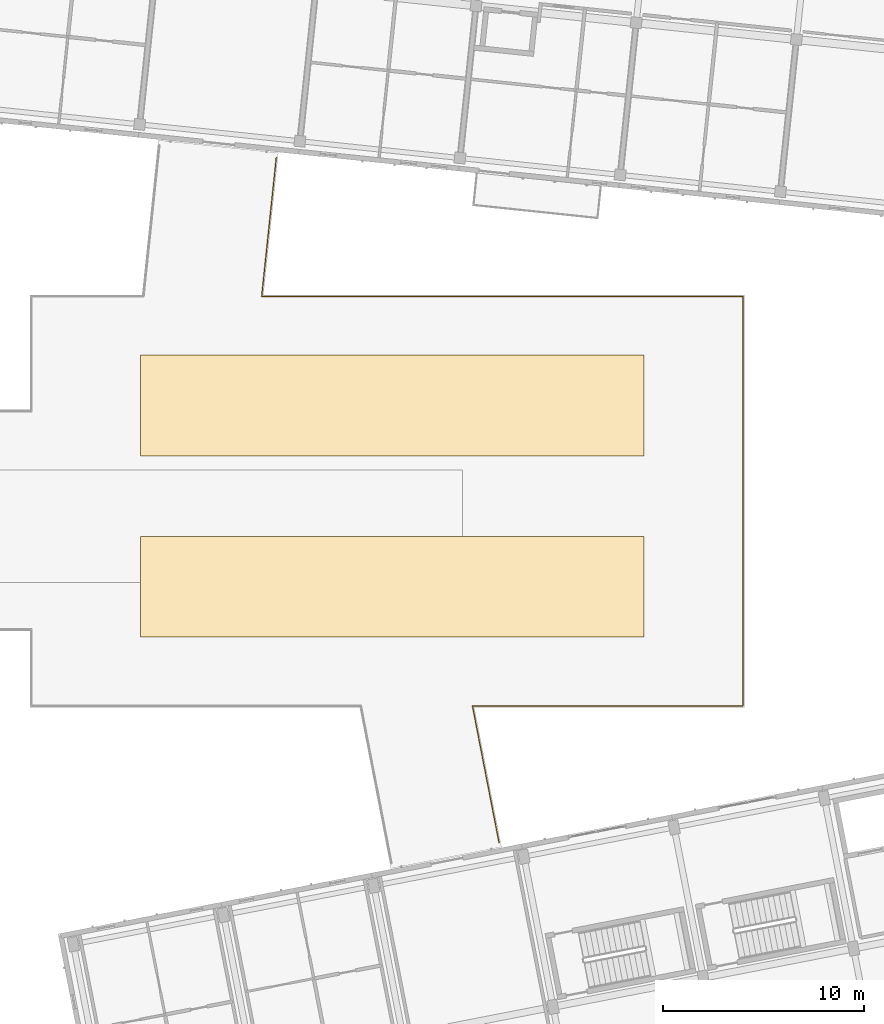
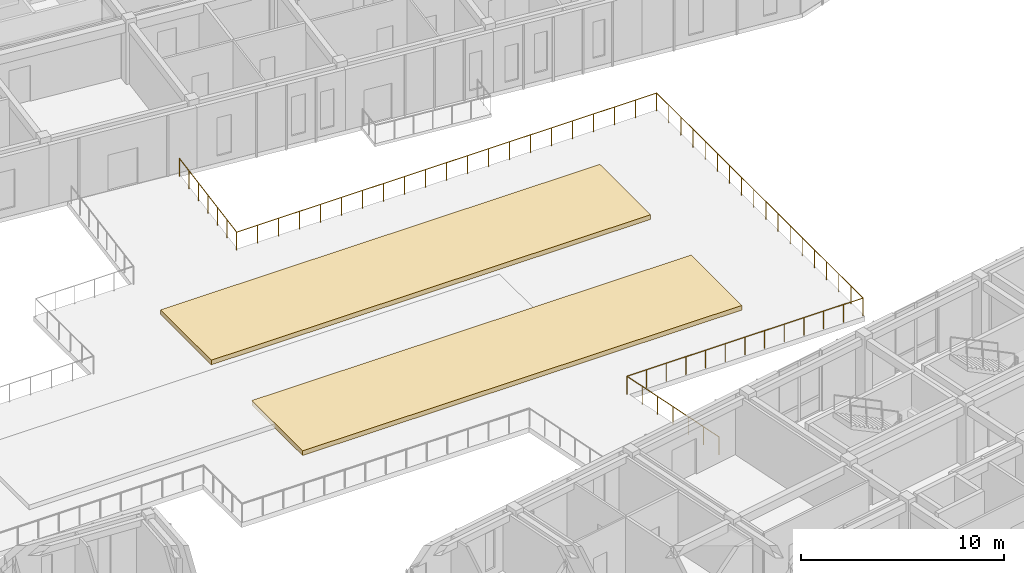
# One storey, part 145 of 150: 2 coverings, 1 railing.
"""IFC4 building model written with IfcOpenShell, lengths in metres."""

from ifc_helpers import new_model, si_unit, direction, frame, origin, origin_2d, place, context, subcontext, project, spatial, polyline, circle, outline, extrude, material, layer, layer_set, type_object, element, save


model = new_model("IFC4")

# Units and contexts
model_context = context("Model", 3, precision=1e-05, world=origin(), true_north=direction((0.0, 1.0)))
body_context = subcontext(model_context, "Body", "Model", "MODEL_VIEW")
ifc_project = project(units=[si_unit("LENGTHUNIT", "METRE"), si_unit("AREAUNIT", "SQUARE_METRE"), si_unit("VOLUMEUNIT", "CUBIC_METRE"), si_unit("PLANEANGLEUNIT", "RADIAN"), si_unit("MASSUNIT", "GRAM", prefix="KILO")], contexts=[model_context])

# Site, building, storey
site_placement = place(None, origin())
site = spatial("IfcSite", under=ifc_project, at=site_placement, CompositionType="ELEMENT")
building_placement = place(site_placement, origin())
building = spatial("IfcBuilding", under=site, at=building_placement, Name="Kestramere Prow Commons", CompositionType="ELEMENT")
storey_placement = place(building_placement, frame((0.0, 0.0, 4.5)))
storey = spatial("IfcBuildingStorey", under=building, at=storey_placement, Name="L01", CompositionType="ELEMENT", Elevation=4.5)

# Coverings
ifc_material_1 = material(Name="Planted Tropical Rain-Garden Soil and Foliage")
ifc_layer = layer(ifc_material_1, 0.280029296875)
ifc_layer_set = layer_set([ifc_layer], Name="Planted Tropical Rain-Garden Soil and Foliage")
covering_type = type_object("IfcCoveringType", Name="COV-PLANT-STRIP", PredefinedType="USERDEFINED", material=ifc_layer_set)
covering_1_placement = place(storey_placement, origin())
element("IfcCovering", 1, at=covering_1_placement, inside=storey, type_object=covering_type, Name="Raised Courtyard Planted Rain-Garden Bed PLST-CRT-E1", ObjectType="PLANTED STRIP", PredefinedType="USERDEFINED", context=body_context, shape_type="SweptSolid", body=[
    extrude(outline(polyline([(118.0, 68.5), (118.0, 73.5), (143.0, 73.5), (143.0, 68.5), (118.0, 68.5)])), origin(), (0.0, 0.0, 1.0), 0.280029296875),
])
covering_2_placement = place(storey_placement, origin())
element("IfcCovering", 2, at=covering_2_placement, inside=storey, type_object=covering_type, Name="Raised Courtyard Planted Rain-Garden Bed PLST-CRT-E2", ObjectType="PLANTED STRIP", PredefinedType="USERDEFINED", context=body_context, shape_type="SweptSolid", body=[
    extrude(outline(polyline([(118.0, 77.5), (118.0, 82.5), (143.0, 82.5), (143.0, 77.5), (118.0, 77.5)])), origin(), (0.0, 0.0, 1.0), 0.280029296875),
])

# Railing
ifc_material_2 = material(Name="Powder-Coated Aluminium 6063-T6", Category="aluminium")
railing_type = type_object("IfcRailingType", Name="GRD-BALC-1100", PredefinedType="BALUSTRADE", material=ifc_material_2)
railing_placement = place(storey_placement, frame((124.7412109375, 92.3154296875, 0.0)))
element("IfcRailing", 3, at=railing_placement, inside=storey, type_object=railing_type, Name="Raised Central Courtyard Perimeter Guardrail 7", PredefinedType="BALUSTRADE", context=body_context, shape_type="SweptSolid", body=[
    extrude(circle(Radius=0.02392578125, at=origin_2d()), frame((0.0, 0.0, 1.076171875), z_axis=(-0.104543647104, -0.994520299366, 0.0), x_axis=(0.994520299366, -0.104543647104, 0.0)), (0.0, 0.0, 1.0), 6.93359375),
    extrude(circle(Radius=0.02392578125, at=origin_2d()), frame((-0.724853515625, -6.8955078125, 1.076171875), z_axis=(1.0, 0.0, 0.0), x_axis=(0.0, 1.0, 0.0)), (0.0, 0.0, 1.0), 23.903564453125),
    extrude(circle(Radius=0.02392578125, at=origin_2d()), frame((23.1787109375, -6.8955078125, 1.076171875), z_axis=(0.0, -1.0, 0.0), x_axis=(1.0, 0.0, 0.0)), (0.0, 0.0, 1.0), 20.33984375),
    extrude(circle(Radius=0.02392578125, at=origin_2d()), frame((23.1787109375, -27.2353515625, 1.076171875), z_axis=(-1.0, 0.0, 0.0), x_axis=(0.0, -1.0, 0.0)), (0.0, 0.0, 1.0), 13.434814453125),
    extrude(circle(Radius=0.02392578125, at=origin_2d()), frame((9.743896484375, -27.2353515625, 1.076171875), z_axis=(0.190827103137, -0.981623663482, 0.0), x_axis=(0.981623663482, 0.190827103137, 0.0)), (0.0, 0.0, 1.0), 6.909912109375),
    extrude(circle(Radius=0.02099609375, at=origin_2d()), origin(), (0.0, 0.0, 1.0), 1.052001953125),
    extrude(circle(Radius=0.02099609375, at=origin_2d()), frame((-0.120849609375, -1.149169921875, 0.0)), (0.0, 0.0, 1.0), 1.052001953125),
    extrude(circle(Radius=0.02099609375, at=origin_2d()), frame((-0.24169921875, -2.298583984375, 0.0)), (0.0, 0.0, 1.0), 1.052001953125),
    extrude(circle(Radius=0.02099609375, at=origin_2d()), frame((-0.3623046875, -3.44775390625, 0.0)), (0.0, 0.0, 1.0), 1.052001953125),
    extrude(circle(Radius=0.02099609375, at=origin_2d()), frame((-0.483154296875, -4.596923828125, 0.0)), (0.0, 0.0, 1.0), 1.052001953125),
    extrude(circle(Radius=0.02099609375, at=origin_2d()), frame((-0.60400390625, -5.746337890625, 0.0)), (0.0, 0.0, 1.0), 1.052001953125),
    extrude(circle(Radius=0.02099609375, at=origin_2d()), frame((-0.724853515625, -6.8955078125, 0.0)), (0.0, 0.0, 1.0), 1.052001953125),
    extrude(circle(Radius=0.02099609375, at=origin_2d()), frame((0.47021484375, -6.8955078125, 0.0)), (0.0, 0.0, 1.0), 1.052001953125),
    extrude(circle(Radius=0.02099609375, at=origin_2d()), frame((1.66552734375, -6.8955078125, 0.0)), (0.0, 0.0, 1.0), 1.052001953125),
    extrude(circle(Radius=0.02099609375, at=origin_2d()), frame((2.860595703125, -6.8955078125, 0.0)), (0.0, 0.0, 1.0), 1.052001953125),
    extrude(circle(Radius=0.02099609375, at=origin_2d()), frame((4.055908203125, -6.8955078125, 0.0)), (0.0, 0.0, 1.0), 1.052001953125),
    extrude(circle(Radius=0.02099609375, at=origin_2d()), frame((5.2509765625, -6.8955078125, 0.0)), (0.0, 0.0, 1.0), 1.052001953125),
    extrude(circle(Radius=0.02099609375, at=origin_2d()), frame((6.4462890625, -6.8955078125, 0.0)), (0.0, 0.0, 1.0), 1.052001953125),
    extrude(circle(Radius=0.02099609375, at=origin_2d()), frame((7.641357421875, -6.8955078125, 0.0)), (0.0, 0.0, 1.0), 1.052001953125),
    extrude(circle(Radius=0.02099609375, at=origin_2d()), frame((8.836669921875, -6.8955078125, 0.0)), (0.0, 0.0, 1.0), 1.052001953125),
    extrude(circle(Radius=0.02099609375, at=origin_2d()), frame((10.03173828125, -6.8955078125, 0.0)), (0.0, 0.0, 1.0), 1.052001953125),
    extrude(circle(Radius=0.02099609375, at=origin_2d()), frame((11.22705078125, -6.8955078125, 0.0)), (0.0, 0.0, 1.0), 1.052001953125),
    extrude(circle(Radius=0.02099609375, at=origin_2d()), frame((12.422119140625, -6.8955078125, 0.0)), (0.0, 0.0, 1.0), 1.052001953125),
    extrude(circle(Radius=0.02099609375, at=origin_2d()), frame((13.6171875, -6.8955078125, 0.0)), (0.0, 0.0, 1.0), 1.052001953125),
    extrude(circle(Radius=0.02099609375, at=origin_2d()), frame((14.8125, -6.8955078125, 0.0)), (0.0, 0.0, 1.0), 1.052001953125),
    extrude(circle(Radius=0.02099609375, at=origin_2d()), frame((16.007568359375, -6.8955078125, 0.0)), (0.0, 0.0, 1.0), 1.052001953125),
    extrude(circle(Radius=0.02099609375, at=origin_2d()), frame((17.202880859375, -6.8955078125, 0.0)), (0.0, 0.0, 1.0), 1.052001953125),
    extrude(circle(Radius=0.02099609375, at=origin_2d()), frame((18.39794921875, -6.8955078125, 0.0)), (0.0, 0.0, 1.0), 1.052001953125),
    extrude(circle(Radius=0.02099609375, at=origin_2d()), frame((19.59326171875, -6.8955078125, 0.0)), (0.0, 0.0, 1.0), 1.052001953125),
    extrude(circle(Radius=0.02099609375, at=origin_2d()), frame((20.788330078125, -6.8955078125, 0.0)), (0.0, 0.0, 1.0), 1.052001953125),
    extrude(circle(Radius=0.02099609375, at=origin_2d()), frame((21.983642578125, -6.8955078125, 0.0)), (0.0, 0.0, 1.0), 1.052001953125),
    extrude(circle(Radius=0.02099609375, at=origin_2d()), frame((23.1787109375, -6.8955078125, 0.0)), (0.0, 0.0, 1.0), 1.052001953125),
    extrude(circle(Radius=0.02099609375, at=origin_2d()), frame((23.1787109375, -8.092041015625, 0.0)), (0.0, 0.0, 1.0), 1.052001953125),
    extrude(circle(Radius=0.02099609375, at=origin_2d()), frame((23.1787109375, -9.288330078125, 0.0)), (0.0, 0.0, 1.0), 1.052001953125),
    extrude(circle(Radius=0.02099609375, at=origin_2d()), frame((23.1787109375, -10.48486328125, 0.0)), (0.0, 0.0, 1.0), 1.052001953125),
    extrude(circle(Radius=0.02099609375, at=origin_2d()), frame((23.1787109375, -11.681396484375, 0.0)), (0.0, 0.0, 1.0), 1.052001953125),
    extrude(circle(Radius=0.02099609375, at=origin_2d()), frame((23.1787109375, -12.8779296875, 0.0)), (0.0, 0.0, 1.0), 1.052001953125),
    extrude(circle(Radius=0.02099609375, at=origin_2d()), frame((23.1787109375, -14.07421875, 0.0)), (0.0, 0.0, 1.0), 1.052001953125),
    extrude(circle(Radius=0.02099609375, at=origin_2d()), frame((23.1787109375, -15.270751953125, 0.0)), (0.0, 0.0, 1.0), 1.052001953125),
    extrude(circle(Radius=0.02099609375, at=origin_2d()), frame((23.1787109375, -16.46728515625, 0.0)), (0.0, 0.0, 1.0), 1.052001953125),
    extrude(circle(Radius=0.02099609375, at=origin_2d()), frame((23.1787109375, -17.66357421875, 0.0)), (0.0, 0.0, 1.0), 1.052001953125),
    extrude(circle(Radius=0.02099609375, at=origin_2d()), frame((23.1787109375, -18.860107421875, 0.0)), (0.0, 0.0, 1.0), 1.052001953125),
    extrude(circle(Radius=0.02099609375, at=origin_2d()), frame((23.1787109375, -20.056640625, 0.0)), (0.0, 0.0, 1.0), 1.052001953125),
    extrude(circle(Radius=0.02099609375, at=origin_2d()), frame((23.1787109375, -21.2529296875, 0.0)), (0.0, 0.0, 1.0), 1.052001953125),
    extrude(circle(Radius=0.02099609375, at=origin_2d()), frame((23.1787109375, -22.449462890625, 0.0)), (0.0, 0.0, 1.0), 1.052001953125),
    extrude(circle(Radius=0.02099609375, at=origin_2d()), frame((23.1787109375, -23.64599609375, 0.0)), (0.0, 0.0, 1.0), 1.052001953125),
    extrude(circle(Radius=0.02099609375, at=origin_2d()), frame((23.1787109375, -24.842529296875, 0.0)), (0.0, 0.0, 1.0), 1.052001953125),
    extrude(circle(Radius=0.02099609375, at=origin_2d()), frame((23.1787109375, -26.038818359375, 0.0)), (0.0, 0.0, 1.0), 1.052001953125),
    extrude(circle(Radius=0.02099609375, at=origin_2d()), frame((23.1787109375, -27.2353515625, 0.0)), (0.0, 0.0, 1.0), 1.052001953125),
    extrude(circle(Radius=0.02099609375, at=origin_2d()), frame((22.05908203125, -27.2353515625, 0.0)), (0.0, 0.0, 1.0), 1.052001953125),
    extrude(circle(Radius=0.02099609375, at=origin_2d()), frame((20.939453125, -27.2353515625, 0.0)), (0.0, 0.0, 1.0), 1.052001953125),
    extrude(circle(Radius=0.02099609375, at=origin_2d()), frame((19.820068359375, -27.2353515625, 0.0)), (0.0, 0.0, 1.0), 1.052001953125),
    extrude(circle(Radius=0.02099609375, at=origin_2d()), frame((18.700439453125, -27.2353515625, 0.0)), (0.0, 0.0, 1.0), 1.052001953125),
    extrude(circle(Radius=0.02099609375, at=origin_2d()), frame((17.580810546875, -27.2353515625, 0.0)), (0.0, 0.0, 1.0), 1.052001953125),
    extrude(circle(Radius=0.02099609375, at=origin_2d()), frame((16.46142578125, -27.2353515625, 0.0)), (0.0, 0.0, 1.0), 1.052001953125),
    extrude(circle(Radius=0.02099609375, at=origin_2d()), frame((15.341796875, -27.2353515625, 0.0)), (0.0, 0.0, 1.0), 1.052001953125),
    extrude(circle(Radius=0.02099609375, at=origin_2d()), frame((14.22216796875, -27.2353515625, 0.0)), (0.0, 0.0, 1.0), 1.052001953125),
    extrude(circle(Radius=0.02099609375, at=origin_2d()), frame((13.1025390625, -27.2353515625, 0.0)), (0.0, 0.0, 1.0), 1.052001953125),
    extrude(circle(Radius=0.02099609375, at=origin_2d()), frame((11.98291015625, -27.2353515625, 0.0)), (0.0, 0.0, 1.0), 1.052001953125),
    extrude(circle(Radius=0.02099609375, at=origin_2d()), frame((10.863525390625, -27.2353515625, 0.0)), (0.0, 0.0, 1.0), 1.052001953125),
    extrude(circle(Radius=0.02099609375, at=origin_2d()), frame((9.743896484375, -27.2353515625, 0.0)), (0.0, 0.0, 1.0), 1.052001953125),
    extrude(circle(Radius=0.02099609375, at=origin_2d()), frame((9.963623046875, -28.36572265625, 0.0)), (0.0, 0.0, 1.0), 1.052001953125),
    extrude(circle(Radius=0.02099609375, at=origin_2d()), frame((10.183349609375, -29.496337890625, 0.0)), (0.0, 0.0, 1.0), 1.052001953125),
    extrude(circle(Radius=0.02099609375, at=origin_2d()), frame((10.4033203125, -30.626953125, 0.0)), (0.0, 0.0, 1.0), 1.052001953125),
    extrude(circle(Radius=0.02099609375, at=origin_2d()), frame((10.623046875, -31.75732421875, 0.0)), (0.0, 0.0, 1.0), 1.052001953125),
    extrude(circle(Radius=0.02099609375, at=origin_2d()), frame((10.8427734375, -32.8876953125, 0.0)), (0.0, 0.0, 1.0), 1.052001953125),
    extrude(circle(Radius=0.02099609375, at=origin_2d()), frame((11.0625, -34.018310546875, 0.0)), (0.0, 0.0, 1.0), 1.052001953125),
])

save(model, "model.ifc")
